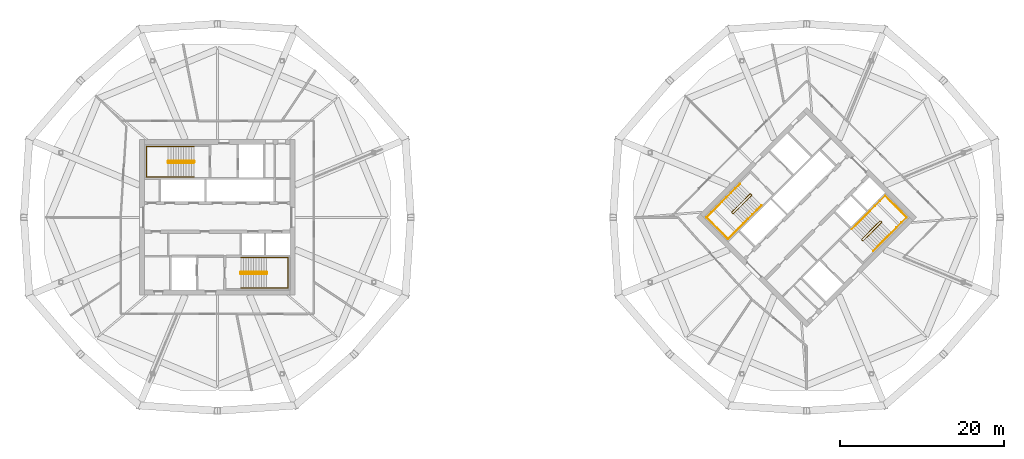
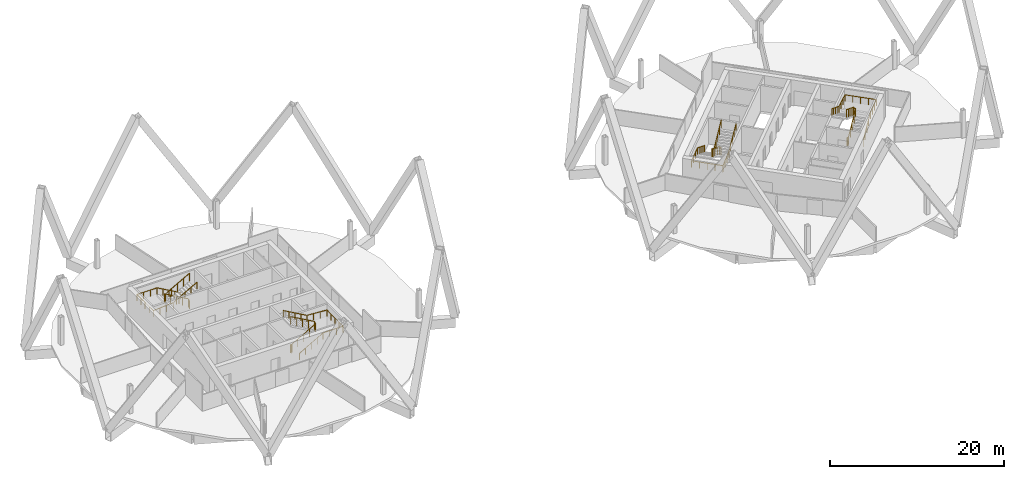
# One storey, part 9 of 9: 8 railings.
"""IFC4 building model written with IfcOpenShell, lengths in metres."""

from ifc_helpers import new_model, si_unit, direction, frame, origin, origin_2d, place, context, subcontext, project, spatial, circle, extrude, material, type_object, element, save


model = new_model("IFC4")

# Units and contexts
model_context = context("Model", 3, precision=1e-05, world=origin(), true_north=direction((0.0, 1.0)))
body_context = subcontext(model_context, "Body", "Model", "MODEL_VIEW")
ifc_project = project(units=[si_unit("LENGTHUNIT", "METRE"), si_unit("AREAUNIT", "SQUARE_METRE"), si_unit("VOLUMEUNIT", "CUBIC_METRE"), si_unit("PLANEANGLEUNIT", "RADIAN"), si_unit("MASSUNIT", "GRAM", prefix="KILO")], contexts=[model_context])

# Site, building, storey
site_placement = place(None, origin())
site = spatial("IfcSite", under=ifc_project, at=site_placement, CompositionType="ELEMENT")
building_placement = place(site_placement, origin())
building = spatial("IfcBuilding", under=site, at=building_placement, Name="Ogive Gate Towers", CompositionType="ELEMENT")
storey_placement = place(building_placement, frame((0.0, 0.0, 200.699951171875)))
storey = spatial("IfcBuildingStorey", under=building, at=storey_placement, Name="L48", CompositionType="ELEMENT", Elevation=200.699951171875)

# Railings
ifc_material = material(Name="Stainless steel", Category="steel")
railing_type_1 = type_object("IfcRailingType", Name="Stair guard 1100", PredefinedType="GUARDRAIL", material=ifc_material)
railing_1_placement = place(storey_placement, frame((-38.81494140625, 6.860107421875, 0.0)))
element("IfcRailing", 1, at=railing_1_placement, inside=storey, type_object=railing_type_1, Name="L48 ST1 stair guard 1", PredefinedType="GUARDRAIL", context=body_context, shape_type="SweptSolid", body=[
    extrude(circle(Radius=0.02392578125, at=origin_2d()), frame((0.0, 0.0, 1.076171875), z_axis=(0.0, -1.0, 0.0), x_axis=(1.0, 0.0, 0.0)), (0.0, 0.0, 1.0), 0.14501953125),
    extrude(circle(Radius=0.02392578125, at=origin_2d()), frame((0.0, -0.14501953125, 1.076171875), z_axis=(-0.186679794065, 0.726685247142, 0.661119660934), x_axis=(-0.968551454522, -0.24881334358, 0.0)), (0.0, 0.0, 1.0), 0.26806640625),
    extrude(circle(Radius=0.02392578125, at=origin_2d()), frame((-0.050048828125, 0.0498046875, 1.25341796875), z_axis=(-0.870572935281, 0.0, 0.492039393094), x_axis=(0.0, -1.0, 0.0)), (0.0, 0.0, 1.0), 3.602783203125),
    extrude(circle(Radius=0.02392578125, at=origin_2d()), frame((-3.1865234375, 0.0498046875, 3.02587890625), z_axis=(-0.707106781187, -0.707106781187, 0.0), x_axis=(0.707106781187, -0.707106781187, 0.0)), (0.0, 0.0, 1.0), 0.0703125),
    extrude(circle(Radius=0.02392578125, at=origin_2d()), frame((-3.236328125, 0.0, 3.02587890625), z_axis=(0.0, -1.0, 0.0), x_axis=(1.0, 0.0, 0.0)), (0.0, 0.0, 1.0), 0.14501953125),
    extrude(circle(Radius=0.02392578125, at=origin_2d()), frame((-3.236328125, -0.14501953125, 3.02587890625), z_axis=(0.260731885961, -0.262009983441, 0.929176868105), x_axis=(0.708833529934, 0.705375805398, 0.0)), (0.0, 0.0, 1.0), 0.19091796875),
    extrude(circle(Radius=0.02392578125, at=origin_2d()), frame((-3.1865234375, -0.195068359375, 3.20361328125), z_axis=(0.870572935281, 0.0, 0.492039393094), x_axis=(0.0, 1.0, 0.0)), (0.0, 0.0, 1.0), 3.602783203125),
    extrude(circle(Radius=0.02099609375, at=origin_2d()), origin(), (0.0, 0.0, 1.0), 1.052001953125),
    extrude(circle(Radius=0.02099609375, at=origin_2d()), frame((0.0, -0.14501953125, 0.0)), (0.0, 0.0, 1.0), 1.052001953125),
    extrude(circle(Radius=0.02099609375, at=origin_2d()), frame((-0.050048828125, 0.0498046875, 0.17724609375)), (0.0, 0.0, 1.0), 1.052001953125),
    extrude(circle(Radius=0.02099609375, at=origin_2d()), frame((-0.834228515625, 0.0498046875, 0.620361328125)), (0.0, 0.0, 1.0), 1.052001953125),
    extrude(circle(Radius=0.02099609375, at=origin_2d()), frame((-1.6181640625, 0.0498046875, 1.0634765625)), (0.0, 0.0, 1.0), 1.052001953125),
    extrude(circle(Radius=0.02099609375, at=origin_2d()), frame((-2.40234375, 0.0498046875, 1.5068359375)), (0.0, 0.0, 1.0), 1.052001953125),
    extrude(circle(Radius=0.02099609375, at=origin_2d()), frame((-3.1865234375, 0.0498046875, 1.949951171875)), (0.0, 0.0, 1.0), 1.052001953125),
    extrude(circle(Radius=0.02099609375, at=origin_2d()), frame((-3.236328125, 0.0, 1.949951171875)), (0.0, 0.0, 1.0), 1.052001953125),
    extrude(circle(Radius=0.02099609375, at=origin_2d()), frame((-3.236328125, -0.14501953125, 1.949951171875)), (0.0, 0.0, 1.0), 1.052001953125),
    extrude(circle(Radius=0.02099609375, at=origin_2d()), frame((-3.1865234375, -0.195068359375, 2.12744140625)), (0.0, 0.0, 1.0), 1.052001953125),
    extrude(circle(Radius=0.02099609375, at=origin_2d()), frame((-2.40234375, -0.195068359375, 2.570556640625)), (0.0, 0.0, 1.0), 1.052001953125),
    extrude(circle(Radius=0.02099609375, at=origin_2d()), frame((-1.6181640625, -0.195068359375, 3.013671875)), (0.0, 0.0, 1.0), 1.052001953125),
    extrude(circle(Radius=0.02099609375, at=origin_2d()), frame((-0.834228515625, -0.195068359375, 3.45703125)), (0.0, 0.0, 1.0), 1.052001953125),
    extrude(circle(Radius=0.02099609375, at=origin_2d()), frame((-0.050048828125, -0.195068359375, 3.900146484375)), (0.0, 0.0, 1.0), 1.052001953125),
])
railing_2_placement = place(storey_placement, frame((-33.18505859375, -6.860107421875, 0.0)))
element("IfcRailing", 2, at=railing_2_placement, inside=storey, type_object=railing_type_1, Name="L48 ST2 stair guard 1", PredefinedType="GUARDRAIL", context=body_context, shape_type="SweptSolid", body=[
    extrude(circle(Radius=0.02392578125, at=origin_2d()), frame((0.0, 0.0, 1.076171875), z_axis=(0.0, 1.0, 0.0), x_axis=(-1.0, 0.0, 0.0)), (0.0, 0.0, 1.0), 0.14501953125),
    extrude(circle(Radius=0.02392578125, at=origin_2d()), frame((0.0, 0.14501953125, 1.076171875), z_axis=(0.186679794065, -0.726685247142, 0.661119660934), x_axis=(0.968551454522, 0.24881334358, 0.0)), (0.0, 0.0, 1.0), 0.26806640625),
    extrude(circle(Radius=0.02392578125, at=origin_2d()), frame((0.050048828125, -0.0498046875, 1.25341796875), z_axis=(0.870572935281, 0.0, 0.492039393094), x_axis=(0.0, 1.0, 0.0)), (0.0, 0.0, 1.0), 3.602783203125),
    extrude(circle(Radius=0.02392578125, at=origin_2d()), frame((3.1865234375, -0.0498046875, 3.02587890625), z_axis=(0.707106781187, 0.707106781187, 0.0), x_axis=(-0.707106781187, 0.707106781187, 0.0)), (0.0, 0.0, 1.0), 0.0703125),
    extrude(circle(Radius=0.02392578125, at=origin_2d()), frame((3.236328125, 0.0, 3.02587890625), z_axis=(0.0, 1.0, 0.0), x_axis=(-1.0, 0.0, 0.0)), (0.0, 0.0, 1.0), 0.14501953125),
    extrude(circle(Radius=0.02392578125, at=origin_2d()), frame((3.236328125, 0.14501953125, 3.02587890625), z_axis=(-0.260731885961, 0.262009983441, 0.929176868105), x_axis=(-0.708833529934, -0.705375805398, 0.0)), (0.0, 0.0, 1.0), 0.19091796875),
    extrude(circle(Radius=0.02392578125, at=origin_2d()), frame((3.1865234375, 0.195068359375, 3.20361328125), z_axis=(-0.870572935281, 0.0, 0.492039393094), x_axis=(0.0, -1.0, 0.0)), (0.0, 0.0, 1.0), 3.602783203125),
    extrude(circle(Radius=0.02099609375, at=origin_2d()), origin(), (0.0, 0.0, 1.0), 1.052001953125),
    extrude(circle(Radius=0.02099609375, at=origin_2d()), frame((0.0, 0.14501953125, 0.0)), (0.0, 0.0, 1.0), 1.052001953125),
    extrude(circle(Radius=0.02099609375, at=origin_2d()), frame((0.050048828125, -0.0498046875, 0.17724609375)), (0.0, 0.0, 1.0), 1.052001953125),
    extrude(circle(Radius=0.02099609375, at=origin_2d()), frame((0.834228515625, -0.0498046875, 0.620361328125)), (0.0, 0.0, 1.0), 1.052001953125),
    extrude(circle(Radius=0.02099609375, at=origin_2d()), frame((1.6181640625, -0.0498046875, 1.0634765625)), (0.0, 0.0, 1.0), 1.052001953125),
    extrude(circle(Radius=0.02099609375, at=origin_2d()), frame((2.40234375, -0.0498046875, 1.5068359375)), (0.0, 0.0, 1.0), 1.052001953125),
    extrude(circle(Radius=0.02099609375, at=origin_2d()), frame((3.1865234375, -0.0498046875, 1.949951171875)), (0.0, 0.0, 1.0), 1.052001953125),
    extrude(circle(Radius=0.02099609375, at=origin_2d()), frame((3.236328125, 0.0, 1.949951171875)), (0.0, 0.0, 1.0), 1.052001953125),
    extrude(circle(Radius=0.02099609375, at=origin_2d()), frame((3.236328125, 0.14501953125, 1.949951171875)), (0.0, 0.0, 1.0), 1.052001953125),
    extrude(circle(Radius=0.02099609375, at=origin_2d()), frame((3.1865234375, 0.195068359375, 2.12744140625)), (0.0, 0.0, 1.0), 1.052001953125),
    extrude(circle(Radius=0.02099609375, at=origin_2d()), frame((2.40234375, 0.195068359375, 2.570556640625)), (0.0, 0.0, 1.0), 1.052001953125),
    extrude(circle(Radius=0.02099609375, at=origin_2d()), frame((1.6181640625, 0.195068359375, 3.013671875)), (0.0, 0.0, 1.0), 1.052001953125),
    extrude(circle(Radius=0.02099609375, at=origin_2d()), frame((0.834228515625, 0.195068359375, 3.45703125)), (0.0, 0.0, 1.0), 1.052001953125),
    extrude(circle(Radius=0.02099609375, at=origin_2d()), frame((0.050048828125, 0.195068359375, 3.900146484375)), (0.0, 0.0, 1.0), 1.052001953125),
])
railing_3_placement = place(storey_placement, frame((29.15869140625, 2.8603515625, 0.0)))
element("IfcRailing", 3, at=railing_3_placement, inside=storey, type_object=railing_type_1, Name="L48 ST1 stair guard 1", PredefinedType="GUARDRAIL", context=body_context, shape_type="SweptSolid", body=[
    extrude(circle(Radius=0.02392578125, at=origin_2d()), frame((0.0, 0.0, 1.076171875), z_axis=(0.707106781187, -0.707106781187, 0.0), x_axis=(0.707106781187, 0.707106781187, 0.0)), (0.0, 0.0, 1.0), 0.14501953125),
    extrude(circle(Radius=0.02392578125, at=origin_2d()), frame((0.1025390625, -0.1025390625, 1.076171875), z_axis=(-0.645571447971, 0.382425963537, 0.661050594114), x_axis=(-0.509669330572, -0.860370369942, 0.0)), (0.0, 0.0, 1.0), 0.26806640625),
    extrude(circle(Radius=0.02392578125, at=origin_2d()), frame((-0.070556640625, 0.0, 1.25341796875), z_axis=(-0.61558473135, -0.61558473135, 0.49204763698), x_axis=(0.707106781187, -0.707106781187, 0.0)), (0.0, 0.0, 1.0), 3.602783203125),
    extrude(circle(Radius=0.02392578125, at=origin_2d()), frame((-2.288330078125, -2.2177734375, 3.02587890625), z_axis=(0.0, -1.0, 0.0), x_axis=(1.0, 0.0, 0.0)), (0.0, 0.0, 1.0), 0.07080078125),
    extrude(circle(Radius=0.02392578125, at=origin_2d()), frame((-2.288330078125, -2.28857421875, 3.02587890625), z_axis=(0.707106781187, -0.707106781187, 0.0), x_axis=(0.707106781187, 0.707106781187, 0.0)), (0.0, 0.0, 1.0), 0.14501953125),
    extrude(circle(Radius=0.02392578125, at=origin_2d()), frame((-2.185791015625, -2.39111328125, 3.02587890625), z_axis=(0.369406379806, 0.0, 0.92926795197), x_axis=(0.0, 1.0, 0.0)), (0.0, 0.0, 1.0), 0.19091796875),
    extrude(circle(Radius=0.02392578125, at=origin_2d()), frame((-2.115234375, -2.39111328125, 3.20361328125), z_axis=(0.61558473135, 0.61558473135, 0.49204763698), x_axis=(-0.707106781187, 0.707106781187, 0.0)), (0.0, 0.0, 1.0), 3.602783203125),
    extrude(circle(Radius=0.02099609375, at=origin_2d()), origin(), (0.0, 0.0, 1.0), 1.052001953125),
    extrude(circle(Radius=0.02099609375, at=origin_2d()), frame((0.1025390625, -0.1025390625, 0.0)), (0.0, 0.0, 1.0), 1.052001953125),
    extrude(circle(Radius=0.02099609375, at=origin_2d()), frame((-0.070556640625, 0.0, 0.17724609375)), (0.0, 0.0, 1.0), 1.052001953125),
    extrude(circle(Radius=0.02099609375, at=origin_2d()), frame((-0.625, -0.554443359375, 0.620361328125)), (0.0, 0.0, 1.0), 1.052001953125),
    extrude(circle(Radius=0.02099609375, at=origin_2d()), frame((-1.179443359375, -1.10888671875, 1.0634765625)), (0.0, 0.0, 1.0), 1.052001953125),
    extrude(circle(Radius=0.02099609375, at=origin_2d()), frame((-1.73388671875, -1.663330078125, 1.5068359375)), (0.0, 0.0, 1.0), 1.052001953125),
    extrude(circle(Radius=0.02099609375, at=origin_2d()), frame((-2.288330078125, -2.2177734375, 1.949951171875)), (0.0, 0.0, 1.0), 1.052001953125),
    extrude(circle(Radius=0.02099609375, at=origin_2d()), frame((-2.288330078125, -2.28857421875, 1.949951171875)), (0.0, 0.0, 1.0), 1.052001953125),
    extrude(circle(Radius=0.02099609375, at=origin_2d()), frame((-2.185791015625, -2.39111328125, 1.949951171875)), (0.0, 0.0, 1.0), 1.052001953125),
    extrude(circle(Radius=0.02099609375, at=origin_2d()), frame((-2.115234375, -2.39111328125, 2.12744140625)), (0.0, 0.0, 1.0), 1.052001953125),
    extrude(circle(Radius=0.02099609375, at=origin_2d()), frame((-1.560791015625, -1.836669921875, 2.570556640625)), (0.0, 0.0, 1.0), 1.052001953125),
    extrude(circle(Radius=0.02099609375, at=origin_2d()), frame((-1.00634765625, -1.2822265625, 3.013671875)), (0.0, 0.0, 1.0), 1.052001953125),
    extrude(circle(Radius=0.02099609375, at=origin_2d()), frame((-0.451904296875, -0.727783203125, 3.45703125)), (0.0, 0.0, 1.0), 1.052001953125),
    extrude(circle(Radius=0.02099609375, at=origin_2d()), frame((0.1025390625, -0.17333984375, 3.900146484375)), (0.0, 0.0, 1.0), 1.052001953125),
])
railing_4_placement = place(storey_placement, frame((42.84130859375, -2.8603515625, 0.0)))
element("IfcRailing", 4, at=railing_4_placement, inside=storey, type_object=railing_type_1, Name="L48 ST2 stair guard 1", PredefinedType="GUARDRAIL", context=body_context, shape_type="SweptSolid", body=[
    extrude(circle(Radius=0.02392578125, at=origin_2d()), frame((0.0, 0.0, 1.076171875), z_axis=(-0.707106781187, 0.707106781187, 0.0), x_axis=(-0.707106781187, -0.707106781187, 0.0)), (0.0, 0.0, 1.0), 0.14501953125),
    extrude(circle(Radius=0.02392578125, at=origin_2d()), frame((-0.1025390625, 0.1025390625, 1.076171875), z_axis=(0.645571447971, -0.382425963537, 0.661050594114), x_axis=(0.509669330572, 0.860370369942, 0.0)), (0.0, 0.0, 1.0), 0.26806640625),
    extrude(circle(Radius=0.02392578125, at=origin_2d()), frame((0.070556640625, 0.0, 1.25341796875), z_axis=(0.61558473135, 0.61558473135, 0.49204763698), x_axis=(-0.707106781187, 0.707106781187, 0.0)), (0.0, 0.0, 1.0), 3.602783203125),
    extrude(circle(Radius=0.02392578125, at=origin_2d()), frame((2.288330078125, 2.2177734375, 3.02587890625), z_axis=(0.0, 1.0, 0.0), x_axis=(-1.0, 0.0, 0.0)), (0.0, 0.0, 1.0), 0.07080078125),
    extrude(circle(Radius=0.02392578125, at=origin_2d()), frame((2.288330078125, 2.28857421875, 3.02587890625), z_axis=(-0.707106781187, 0.707106781187, 0.0), x_axis=(-0.707106781187, -0.707106781187, 0.0)), (0.0, 0.0, 1.0), 0.14501953125),
    extrude(circle(Radius=0.02392578125, at=origin_2d()), frame((2.185791015625, 2.39111328125, 3.02587890625), z_axis=(-0.369406379806, 0.0, 0.92926795197), x_axis=(0.0, -1.0, 0.0)), (0.0, 0.0, 1.0), 0.19091796875),
    extrude(circle(Radius=0.02392578125, at=origin_2d()), frame((2.115234375, 2.39111328125, 3.20361328125), z_axis=(-0.61558473135, -0.61558473135, 0.49204763698), x_axis=(0.707106781187, -0.707106781187, 0.0)), (0.0, 0.0, 1.0), 3.602783203125),
    extrude(circle(Radius=0.02099609375, at=origin_2d()), origin(), (0.0, 0.0, 1.0), 1.052001953125),
    extrude(circle(Radius=0.02099609375, at=origin_2d()), frame((-0.1025390625, 0.1025390625, 0.0)), (0.0, 0.0, 1.0), 1.052001953125),
    extrude(circle(Radius=0.02099609375, at=origin_2d()), frame((0.070556640625, 0.0, 0.17724609375)), (0.0, 0.0, 1.0), 1.052001953125),
    extrude(circle(Radius=0.02099609375, at=origin_2d()), frame((0.625, 0.554443359375, 0.620361328125)), (0.0, 0.0, 1.0), 1.052001953125),
    extrude(circle(Radius=0.02099609375, at=origin_2d()), frame((1.179443359375, 1.10888671875, 1.0634765625)), (0.0, 0.0, 1.0), 1.052001953125),
    extrude(circle(Radius=0.02099609375, at=origin_2d()), frame((1.73388671875, 1.663330078125, 1.5068359375)), (0.0, 0.0, 1.0), 1.052001953125),
    extrude(circle(Radius=0.02099609375, at=origin_2d()), frame((2.288330078125, 2.2177734375, 1.949951171875)), (0.0, 0.0, 1.0), 1.052001953125),
    extrude(circle(Radius=0.02099609375, at=origin_2d()), frame((2.288330078125, 2.28857421875, 1.949951171875)), (0.0, 0.0, 1.0), 1.052001953125),
    extrude(circle(Radius=0.02099609375, at=origin_2d()), frame((2.185791015625, 2.39111328125, 1.949951171875)), (0.0, 0.0, 1.0), 1.052001953125),
    extrude(circle(Radius=0.02099609375, at=origin_2d()), frame((2.115234375, 2.39111328125, 2.12744140625)), (0.0, 0.0, 1.0), 1.052001953125),
    extrude(circle(Radius=0.02099609375, at=origin_2d()), frame((1.560791015625, 1.836669921875, 2.570556640625)), (0.0, 0.0, 1.0), 1.052001953125),
    extrude(circle(Radius=0.02099609375, at=origin_2d()), frame((1.00634765625, 1.2822265625, 3.013671875)), (0.0, 0.0, 1.0), 1.052001953125),
    extrude(circle(Radius=0.02099609375, at=origin_2d()), frame((0.451904296875, 0.727783203125, 3.45703125)), (0.0, 0.0, 1.0), 1.052001953125),
    extrude(circle(Radius=0.02099609375, at=origin_2d()), frame((-0.1025390625, 0.17333984375, 3.900146484375)), (0.0, 0.0, 1.0), 1.052001953125),
])
railing_type_2 = type_object("IfcRailingType", Name="Stair handrail 900", PredefinedType="HANDRAIL", material=ifc_material)
railing_5_placement = place(storey_placement, frame((-38.864990234375, 8.64990234375, 0.17724609375)))
element("IfcRailing", 5, at=railing_5_placement, inside=storey, type_object=railing_type_2, Name="L48 ST1 stair handrail 1", PredefinedType="HANDRAIL", context=body_context, shape_type="SweptSolid", body=[
    extrude(circle(Radius=0.02392578125, at=origin_2d()), frame((0.0, 0.0, 0.8759765625), z_axis=(-0.870572935281, 0.0, 0.492039393094), x_axis=(0.0, -1.0, 0.0)), (0.0, 0.0, 1.0), 3.602783203125),
    extrude(circle(Radius=0.02392578125, at=origin_2d()), frame((-3.136474609375, 0.0, 2.6484375), z_axis=(-1.0, 0.0, 0.0), x_axis=(0.0, -1.0, 0.0)), (0.0, 0.0, 1.0), 2.6484375),
    extrude(circle(Radius=0.02392578125, at=origin_2d()), frame((-5.784912109375, 0.0, 2.6484375), z_axis=(0.0, -1.0, 0.0), x_axis=(1.0, 0.0, 0.0)), (0.0, 0.0, 1.0), 3.724853515625),
    extrude(circle(Radius=0.02392578125, at=origin_2d()), frame((-5.784912109375, -3.724853515625, 2.6484375), z_axis=(0.997761899551, 0.0, 0.06686697096), x_axis=(0.0, 1.0, 0.0)), (0.0, 0.0, 1.0), 2.654296875),
    extrude(circle(Radius=0.02392578125, at=origin_2d()), frame((-3.136474609375, -3.724853515625, 2.826171875), z_axis=(0.870572935281, 0.0, 0.492039393094), x_axis=(0.0, 1.0, 0.0)), (0.0, 0.0, 1.0), 3.602783203125),
    extrude(circle(Radius=0.02099609375, at=origin_2d()), origin(), (0.0, 0.0, 1.0), 0.851806640625),
    extrude(circle(Radius=0.02099609375, at=origin_2d()), frame((-0.7841796875, 0.0, 0.443115234375)), (0.0, 0.0, 1.0), 0.851806640625),
    extrude(circle(Radius=0.02099609375, at=origin_2d()), frame((-1.568359375, 0.0, 0.88623046875)), (0.0, 0.0, 1.0), 0.851806640625),
    extrude(circle(Radius=0.02099609375, at=origin_2d()), frame((-2.352294921875, 0.0, 1.32958984375)), (0.0, 0.0, 1.0), 0.851806640625),
    extrude(circle(Radius=0.02099609375, at=origin_2d()), frame((-3.136474609375, 0.0, 1.772705078125)), (0.0, 0.0, 1.0), 0.851806640625),
    extrude(circle(Radius=0.02099609375, at=origin_2d()), frame((-4.019287109375, 0.0, 1.772705078125)), (0.0, 0.0, 1.0), 0.851806640625),
    extrude(circle(Radius=0.02099609375, at=origin_2d()), frame((-4.902099609375, 0.0, 1.772705078125)), (0.0, 0.0, 1.0), 0.851806640625),
    extrude(circle(Radius=0.02099609375, at=origin_2d()), frame((-5.784912109375, 0.0, 1.772705078125)), (0.0, 0.0, 1.0), 0.851806640625),
    extrude(circle(Radius=0.02099609375, at=origin_2d()), frame((-5.784912109375, -0.93115234375, 1.772705078125)), (0.0, 0.0, 1.0), 0.851806640625),
    extrude(circle(Radius=0.02099609375, at=origin_2d()), frame((-5.784912109375, -1.8623046875, 1.772705078125)), (0.0, 0.0, 1.0), 0.851806640625),
    extrude(circle(Radius=0.02099609375, at=origin_2d()), frame((-5.784912109375, -2.793701171875, 1.772705078125)), (0.0, 0.0, 1.0), 0.851806640625),
    extrude(circle(Radius=0.02099609375, at=origin_2d()), frame((-5.784912109375, -3.724853515625, 1.772705078125)), (0.0, 0.0, 1.0), 0.851806640625),
    extrude(circle(Radius=0.02099609375, at=origin_2d()), frame((-4.902099609375, -3.724853515625, 1.831787109375)), (0.0, 0.0, 1.0), 0.851806640625),
    extrude(circle(Radius=0.02099609375, at=origin_2d()), frame((-4.019287109375, -3.724853515625, 1.89111328125)), (0.0, 0.0, 1.0), 0.851806640625),
    extrude(circle(Radius=0.02099609375, at=origin_2d()), frame((-3.136474609375, -3.724853515625, 1.9501953125)), (0.0, 0.0, 1.0), 0.851806640625),
    extrude(circle(Radius=0.02099609375, at=origin_2d()), frame((-2.352294921875, -3.724853515625, 2.393310546875)), (0.0, 0.0, 1.0), 0.851806640625),
    extrude(circle(Radius=0.02099609375, at=origin_2d()), frame((-1.568359375, -3.724853515625, 2.83642578125)), (0.0, 0.0, 1.0), 0.851806640625),
    extrude(circle(Radius=0.02099609375, at=origin_2d()), frame((-0.7841796875, -3.724853515625, 3.27978515625)), (0.0, 0.0, 1.0), 0.851806640625),
    extrude(circle(Radius=0.02099609375, at=origin_2d()), frame((0.0, -3.724853515625, 3.722900390625)), (0.0, 0.0, 1.0), 0.851806640625),
])
railing_6_placement = place(storey_placement, frame((-33.135009765625, -8.64990234375, 0.17724609375)))
element("IfcRailing", 6, at=railing_6_placement, inside=storey, type_object=railing_type_2, Name="L48 ST2 stair handrail 1", PredefinedType="HANDRAIL", context=body_context, shape_type="SweptSolid", body=[
    extrude(circle(Radius=0.02392578125, at=origin_2d()), frame((0.0, 0.0, 0.8759765625), z_axis=(0.870572935281, 0.0, 0.492039393094), x_axis=(0.0, 1.0, 0.0)), (0.0, 0.0, 1.0), 3.602783203125),
    extrude(circle(Radius=0.02392578125, at=origin_2d()), frame((3.136474609375, 0.0, 2.6484375), z_axis=(1.0, 0.0, 0.0), x_axis=(0.0, 1.0, 0.0)), (0.0, 0.0, 1.0), 2.6484375),
    extrude(circle(Radius=0.02392578125, at=origin_2d()), frame((5.784912109375, 0.0, 2.6484375), z_axis=(0.0, 1.0, 0.0), x_axis=(-1.0, 0.0, 0.0)), (0.0, 0.0, 1.0), 3.724853515625),
    extrude(circle(Radius=0.02392578125, at=origin_2d()), frame((5.784912109375, 3.724853515625, 2.6484375), z_axis=(-0.997761899551, 0.0, 0.06686697096), x_axis=(0.0, -1.0, 0.0)), (0.0, 0.0, 1.0), 2.654296875),
    extrude(circle(Radius=0.02392578125, at=origin_2d()), frame((3.136474609375, 3.724853515625, 2.826171875), z_axis=(-0.870572935281, 0.0, 0.492039393094), x_axis=(0.0, -1.0, 0.0)), (0.0, 0.0, 1.0), 3.602783203125),
    extrude(circle(Radius=0.02099609375, at=origin_2d()), origin(), (0.0, 0.0, 1.0), 0.851806640625),
    extrude(circle(Radius=0.02099609375, at=origin_2d()), frame((0.7841796875, 0.0, 0.443115234375)), (0.0, 0.0, 1.0), 0.851806640625),
    extrude(circle(Radius=0.02099609375, at=origin_2d()), frame((1.568359375, 0.0, 0.88623046875)), (0.0, 0.0, 1.0), 0.851806640625),
    extrude(circle(Radius=0.02099609375, at=origin_2d()), frame((2.352294921875, 0.0, 1.32958984375)), (0.0, 0.0, 1.0), 0.851806640625),
    extrude(circle(Radius=0.02099609375, at=origin_2d()), frame((3.136474609375, 0.0, 1.772705078125)), (0.0, 0.0, 1.0), 0.851806640625),
    extrude(circle(Radius=0.02099609375, at=origin_2d()), frame((4.019287109375, 0.0, 1.772705078125)), (0.0, 0.0, 1.0), 0.851806640625),
    extrude(circle(Radius=0.02099609375, at=origin_2d()), frame((4.902099609375, 0.0, 1.772705078125)), (0.0, 0.0, 1.0), 0.851806640625),
    extrude(circle(Radius=0.02099609375, at=origin_2d()), frame((5.784912109375, 0.0, 1.772705078125)), (0.0, 0.0, 1.0), 0.851806640625),
    extrude(circle(Radius=0.02099609375, at=origin_2d()), frame((5.784912109375, 0.93115234375, 1.772705078125)), (0.0, 0.0, 1.0), 0.851806640625),
    extrude(circle(Radius=0.02099609375, at=origin_2d()), frame((5.784912109375, 1.8623046875, 1.772705078125)), (0.0, 0.0, 1.0), 0.851806640625),
    extrude(circle(Radius=0.02099609375, at=origin_2d()), frame((5.784912109375, 2.793701171875, 1.772705078125)), (0.0, 0.0, 1.0), 0.851806640625),
    extrude(circle(Radius=0.02099609375, at=origin_2d()), frame((5.784912109375, 3.724853515625, 1.772705078125)), (0.0, 0.0, 1.0), 0.851806640625),
    extrude(circle(Radius=0.02099609375, at=origin_2d()), frame((4.902099609375, 3.724853515625, 1.831787109375)), (0.0, 0.0, 1.0), 0.851806640625),
    extrude(circle(Radius=0.02099609375, at=origin_2d()), frame((4.019287109375, 3.724853515625, 1.89111328125)), (0.0, 0.0, 1.0), 0.851806640625),
    extrude(circle(Radius=0.02099609375, at=origin_2d()), frame((3.136474609375, 3.724853515625, 1.9501953125)), (0.0, 0.0, 1.0), 0.851806640625),
    extrude(circle(Radius=0.02099609375, at=origin_2d()), frame((2.352294921875, 3.724853515625, 2.393310546875)), (0.0, 0.0, 1.0), 0.851806640625),
    extrude(circle(Radius=0.02099609375, at=origin_2d()), frame((1.568359375, 3.724853515625, 2.83642578125)), (0.0, 0.0, 1.0), 0.851806640625),
    extrude(circle(Radius=0.02099609375, at=origin_2d()), frame((0.7841796875, 3.724853515625, 3.27978515625)), (0.0, 0.0, 1.0), 0.851806640625),
    extrude(circle(Radius=0.02099609375, at=origin_2d()), frame((0.0, 3.724853515625, 3.722900390625)), (0.0, 0.0, 1.0), 0.851806640625),
])
railing_7_placement = place(storey_placement, frame((27.857666015625, 4.090576171875, 0.17724609375)))
element("IfcRailing", 7, at=railing_7_placement, inside=storey, type_object=railing_type_2, Name="L48 ST1 stair handrail 1", PredefinedType="HANDRAIL", context=body_context, shape_type="SweptSolid", body=[
    extrude(circle(Radius=0.02392578125, at=origin_2d()), frame((0.0, 0.0, 0.8759765625), z_axis=(-0.61558473135, -0.61558473135, 0.49204763698), x_axis=(0.707106781187, -0.707106781187, 0.0)), (0.0, 0.0, 1.0), 3.602783203125),
    extrude(circle(Radius=0.02392578125, at=origin_2d()), frame((-2.2177734375, -2.2177734375, 2.6484375), z_axis=(-0.707106781187, -0.707106781187, 0.0), x_axis=(0.707106781187, -0.707106781187, 0.0)), (0.0, 0.0, 1.0), 2.6484375),
    extrude(circle(Radius=0.02392578125, at=origin_2d()), frame((-4.090576171875, -4.090576171875, 2.6484375), z_axis=(0.707106781187, -0.707106781187, 0.0), x_axis=(0.707106781187, 0.707106781187, 0.0)), (0.0, 0.0, 1.0), 3.72509765625),
    extrude(circle(Radius=0.02392578125, at=origin_2d()), frame((-1.45654296875, -6.724609375, 2.6484375), z_axis=(0.705478551472, 0.705570518432, 0.066859980044), x_axis=(-0.70715286629, 0.70706069308, 0.0)), (0.0, 0.0, 1.0), 2.654541015625),
    extrude(circle(Radius=0.02392578125, at=origin_2d()), frame((0.416259765625, -4.8515625, 2.826171875), z_axis=(0.615610411033, 0.615542642384, 0.4920681632), x_axis=(-0.70706785752, 0.70714570271, 0.0)), (0.0, 0.0, 1.0), 3.6025390625),
    extrude(circle(Radius=0.02099609375, at=origin_2d()), origin(), (0.0, 0.0, 1.0), 0.851806640625),
    extrude(circle(Radius=0.02099609375, at=origin_2d()), frame((-0.554443359375, -0.554443359375, 0.443115234375)), (0.0, 0.0, 1.0), 0.851806640625),
    extrude(circle(Radius=0.02099609375, at=origin_2d()), frame((-1.10888671875, -1.10888671875, 0.88623046875)), (0.0, 0.0, 1.0), 0.851806640625),
    extrude(circle(Radius=0.02099609375, at=origin_2d()), frame((-1.663330078125, -1.663330078125, 1.32958984375)), (0.0, 0.0, 1.0), 0.851806640625),
    extrude(circle(Radius=0.02099609375, at=origin_2d()), frame((-2.2177734375, -2.2177734375, 1.772705078125)), (0.0, 0.0, 1.0), 0.851806640625),
    extrude(circle(Radius=0.02099609375, at=origin_2d()), frame((-2.842041015625, -2.842041015625, 1.772705078125)), (0.0, 0.0, 1.0), 0.851806640625),
    extrude(circle(Radius=0.02099609375, at=origin_2d()), frame((-3.46630859375, -3.46630859375, 1.772705078125)), (0.0, 0.0, 1.0), 0.851806640625),
    extrude(circle(Radius=0.02099609375, at=origin_2d()), frame((-4.090576171875, -4.090576171875, 1.772705078125)), (0.0, 0.0, 1.0), 0.851806640625),
    extrude(circle(Radius=0.02099609375, at=origin_2d()), frame((-3.43212890625, -4.7490234375, 1.772705078125)), (0.0, 0.0, 1.0), 0.851806640625),
    extrude(circle(Radius=0.02099609375, at=origin_2d()), frame((-2.7734375, -5.40771484375, 1.772705078125)), (0.0, 0.0, 1.0), 0.851806640625),
    extrude(circle(Radius=0.02099609375, at=origin_2d()), frame((-2.114990234375, -6.066162109375, 1.772705078125)), (0.0, 0.0, 1.0), 0.851806640625),
    extrude(circle(Radius=0.02099609375, at=origin_2d()), frame((-1.45654296875, -6.724609375, 1.772705078125)), (0.0, 0.0, 1.0), 0.851806640625),
    extrude(circle(Radius=0.02099609375, at=origin_2d()), frame((-0.832275390625, -6.100341796875, 1.831787109375)), (0.0, 0.0, 1.0), 0.851806640625),
    extrude(circle(Radius=0.02099609375, at=origin_2d()), frame((-0.2080078125, -5.475830078125, 1.89111328125)), (0.0, 0.0, 1.0), 0.851806640625),
    extrude(circle(Radius=0.02099609375, at=origin_2d()), frame((0.416259765625, -4.8515625, 1.9501953125)), (0.0, 0.0, 1.0), 0.851806640625),
    extrude(circle(Radius=0.02099609375, at=origin_2d()), frame((0.970703125, -4.297119140625, 2.393310546875)), (0.0, 0.0, 1.0), 0.851806640625),
    extrude(circle(Radius=0.02099609375, at=origin_2d()), frame((1.525146484375, -3.74267578125, 2.83642578125)), (0.0, 0.0, 1.0), 0.851806640625),
    extrude(circle(Radius=0.02099609375, at=origin_2d()), frame((2.07958984375, -3.1884765625, 3.27978515625)), (0.0, 0.0, 1.0), 0.851806640625),
    extrude(circle(Radius=0.02099609375, at=origin_2d()), frame((2.634033203125, -2.634033203125, 3.722900390625)), (0.0, 0.0, 1.0), 0.851806640625),
])
railing_8_placement = place(storey_placement, frame((44.142333984375, -4.090576171875, 0.17724609375)))
element("IfcRailing", 8, at=railing_8_placement, inside=storey, type_object=railing_type_2, Name="L48 ST2 stair handrail 1", PredefinedType="HANDRAIL", context=body_context, shape_type="SweptSolid", body=[
    extrude(circle(Radius=0.02392578125, at=origin_2d()), frame((0.0, 0.0, 0.8759765625), z_axis=(0.61558473135, 0.61558473135, 0.49204763698), x_axis=(-0.707106781187, 0.707106781187, 0.0)), (0.0, 0.0, 1.0), 3.602783203125),
    extrude(circle(Radius=0.02392578125, at=origin_2d()), frame((2.2177734375, 2.2177734375, 2.6484375), z_axis=(0.707106781187, 0.707106781187, 0.0), x_axis=(-0.707106781187, 0.707106781187, 0.0)), (0.0, 0.0, 1.0), 2.6484375),
    extrude(circle(Radius=0.02392578125, at=origin_2d()), frame((4.090576171875, 4.090576171875, 2.6484375), z_axis=(-0.707106781187, 0.707106781187, 0.0), x_axis=(-0.707106781187, -0.707106781187, 0.0)), (0.0, 0.0, 1.0), 3.72509765625),
    extrude(circle(Radius=0.02392578125, at=origin_2d()), frame((1.45654296875, 6.724609375, 2.6484375), z_axis=(-0.705478551472, -0.705570518432, 0.066859980044), x_axis=(0.70715286629, -0.70706069308, 0.0)), (0.0, 0.0, 1.0), 2.654541015625),
    extrude(circle(Radius=0.02392578125, at=origin_2d()), frame((-0.416259765625, 4.8515625, 2.826171875), z_axis=(-0.615610411033, -0.615542642384, 0.4920681632), x_axis=(0.70706785752, -0.70714570271, 0.0)), (0.0, 0.0, 1.0), 3.6025390625),
    extrude(circle(Radius=0.02099609375, at=origin_2d()), origin(), (0.0, 0.0, 1.0), 0.851806640625),
    extrude(circle(Radius=0.02099609375, at=origin_2d()), frame((0.554443359375, 0.554443359375, 0.443115234375)), (0.0, 0.0, 1.0), 0.851806640625),
    extrude(circle(Radius=0.02099609375, at=origin_2d()), frame((1.10888671875, 1.10888671875, 0.88623046875)), (0.0, 0.0, 1.0), 0.851806640625),
    extrude(circle(Radius=0.02099609375, at=origin_2d()), frame((1.663330078125, 1.663330078125, 1.32958984375)), (0.0, 0.0, 1.0), 0.851806640625),
    extrude(circle(Radius=0.02099609375, at=origin_2d()), frame((2.2177734375, 2.2177734375, 1.772705078125)), (0.0, 0.0, 1.0), 0.851806640625),
    extrude(circle(Radius=0.02099609375, at=origin_2d()), frame((2.842041015625, 2.842041015625, 1.772705078125)), (0.0, 0.0, 1.0), 0.851806640625),
    extrude(circle(Radius=0.02099609375, at=origin_2d()), frame((3.46630859375, 3.46630859375, 1.772705078125)), (0.0, 0.0, 1.0), 0.851806640625),
    extrude(circle(Radius=0.02099609375, at=origin_2d()), frame((4.090576171875, 4.090576171875, 1.772705078125)), (0.0, 0.0, 1.0), 0.851806640625),
    extrude(circle(Radius=0.02099609375, at=origin_2d()), frame((3.43212890625, 4.7490234375, 1.772705078125)), (0.0, 0.0, 1.0), 0.851806640625),
    extrude(circle(Radius=0.02099609375, at=origin_2d()), frame((2.7734375, 5.40771484375, 1.772705078125)), (0.0, 0.0, 1.0), 0.851806640625),
    extrude(circle(Radius=0.02099609375, at=origin_2d()), frame((2.114990234375, 6.066162109375, 1.772705078125)), (0.0, 0.0, 1.0), 0.851806640625),
    extrude(circle(Radius=0.02099609375, at=origin_2d()), frame((1.45654296875, 6.724609375, 1.772705078125)), (0.0, 0.0, 1.0), 0.851806640625),
    extrude(circle(Radius=0.02099609375, at=origin_2d()), frame((0.832275390625, 6.100341796875, 1.831787109375)), (0.0, 0.0, 1.0), 0.851806640625),
    extrude(circle(Radius=0.02099609375, at=origin_2d()), frame((0.2080078125, 5.475830078125, 1.89111328125)), (0.0, 0.0, 1.0), 0.851806640625),
    extrude(circle(Radius=0.02099609375, at=origin_2d()), frame((-0.416259765625, 4.8515625, 1.9501953125)), (0.0, 0.0, 1.0), 0.851806640625),
    extrude(circle(Radius=0.02099609375, at=origin_2d()), frame((-0.970703125, 4.297119140625, 2.393310546875)), (0.0, 0.0, 1.0), 0.851806640625),
    extrude(circle(Radius=0.02099609375, at=origin_2d()), frame((-1.525146484375, 3.74267578125, 2.83642578125)), (0.0, 0.0, 1.0), 0.851806640625),
    extrude(circle(Radius=0.02099609375, at=origin_2d()), frame((-2.07958984375, 3.1884765625, 3.27978515625)), (0.0, 0.0, 1.0), 0.851806640625),
    extrude(circle(Radius=0.02099609375, at=origin_2d()), frame((-2.634033203125, 2.634033203125, 3.722900390625)), (0.0, 0.0, 1.0), 0.851806640625),
])

save(model, "model.ifc")
